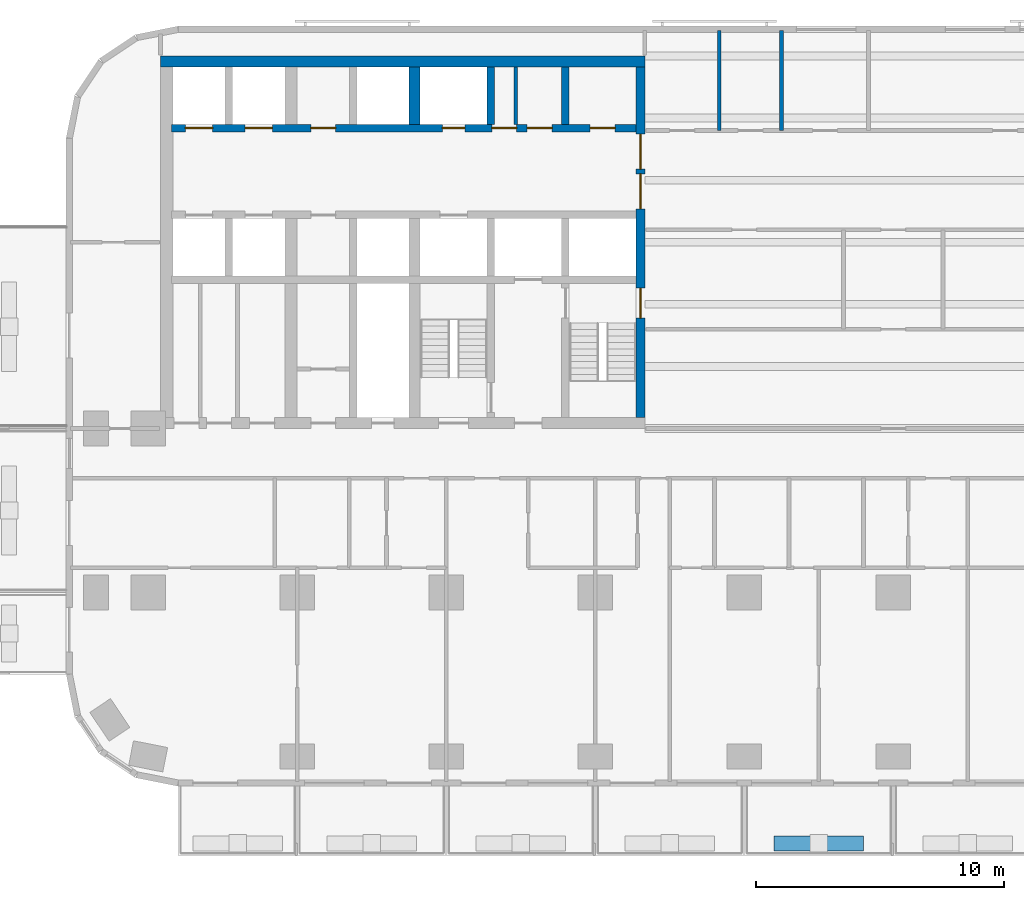
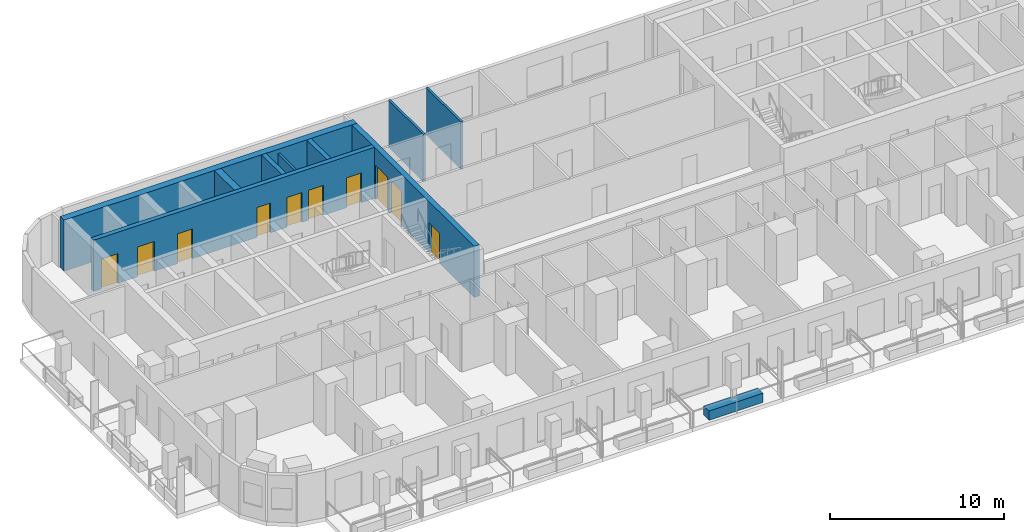
# One storey, part 4 of 15: 10 doors, 10 walls, 10 openings.
"""IFC4 building model written with IfcOpenShell, lengths in metres."""

import ifcopenshell
import ifcopenshell.guid

model = None  # the IFC model being written
_history = None  # IfcOwnerHistory: only IFC2X3 demands one
_inside = {}  # id of a spatial element -> (the spatial element, [elements in it])
_under = {}  # id of a project, library or spatial element -> (it, [spatial elements below it])
_declared = {}  # id of a project -> (the project, [libraries it declares])
_typed = {}  # id of a type object -> (the type object, [elements of that type])
_made_of = {}  # id of a material, layer set ... -> (it, [elements and type objects made of it])


def new_model(schema):
    """Start an empty IFC model of exactly this schema.

    Asked for "IFC4X3", IfcOpenShell would pick the latest addendum, in which some entities
    have other attributes; the version numbers below select the first issue.
    IFC2X3 requires an IfcOwnerHistory on every rooted entity: one is made here for all.
    """
    global model, _history
    if schema == "IFC4X3":
        model = ifcopenshell.file(schema_version=(4, 3, 0, 0))
    else:
        model = ifcopenshell.file(schema=schema)
    _inside.clear()
    _under.clear()
    _declared.clear()
    _typed.clear()
    _made_of.clear()
    _history = None
    if model.schema == "IFC2X3":
        org = make("IfcOrganization", Name="unknown")
        user = make(
            "IfcPersonAndOrganization",
            ThePerson=make("IfcPerson", FamilyName="unknown"),
            TheOrganization=org,
        )
        app = make(
            "IfcApplication",
            ApplicationDeveloper=org,
            Version="unknown",
            ApplicationFullName="unknown",
            ApplicationIdentifier="unknown",
        )
        _history = make(
            "IfcOwnerHistory",
            OwningUser=user,
            OwningApplication=app,
            ChangeAction="ADDED",
            CreationDate=0,
        )
    return model


def make(cls, **values):
    """One entity of the class cls with the attributes given. An attribute that is None is left unset."""
    return model.create_entity(
        cls, **{name: value for name, value in values.items() if value is not None}
    )


def rooted(cls, **values):
    """An entity with a GlobalId (a new one), such as an element, a storey or a relation."""
    return make(cls, GlobalId=ifcopenshell.guid.new(), OwnerHistory=_history, **values)


def si_unit(unit_type, name, prefix=None):
    """IfcSIUnit, for example si_unit("LENGTHUNIT", "METRE", prefix="MILLI")."""
    return make("IfcSIUnit", UnitType=unit_type, Prefix=prefix, Name=name)


def assignment(units):
    """IfcUnitAssignment: the units of a project."""
    return None if units is None else make("IfcUnitAssignment", Units=units)


def point(xyz):
    """IfcCartesianPoint."""
    return None if xyz is None else make("IfcCartesianPoint", Coordinates=xyz)


def direction(xyz):
    """IfcDirection."""
    return None if xyz is None else make("IfcDirection", DirectionRatios=xyz)


def frame(location, z_axis=None, x_axis=None):
    """IfcAxis2Placement3D, a coordinate frame: its origin and axes. An axis left out is left unset."""
    return make(
        "IfcAxis2Placement3D",
        Location=point(location),
        Axis=direction(z_axis),
        RefDirection=direction(x_axis),
    )


def frame_2d(location, x_axis=None):
    """IfcAxis2Placement2D, a coordinate frame in the plane: its origin and x axis."""
    return make(
        "IfcAxis2Placement2D", Location=point(location), RefDirection=direction(x_axis)
    )


def origin():
    """The frame at (0, 0, 0) with its axes left unset."""
    return frame((0.0, 0.0, 0.0))


def place(relative_to, where):
    """IfcLocalPlacement: puts the frame where relative to a parent placement (None: the world)."""
    return make(
        "IfcLocalPlacement", PlacementRelTo=relative_to, RelativePlacement=where
    )


def context(
    kind, dimensions, precision=None, world=None, true_north=None, identifier=None
):
    """IfcGeometricRepresentationContext, for example the 3D "Model" context."""
    return make(
        "IfcGeometricRepresentationContext",
        ContextIdentifier=identifier,
        ContextType=kind,
        CoordinateSpaceDimension=dimensions,
        Precision=precision,
        WorldCoordinateSystem=world,
        TrueNorth=true_north,
    )


def subcontext(parent, identifier, kind, view, scale=None):
    """IfcGeometricRepresentationSubContext, for example "Body" below "Model"."""
    return make(
        "IfcGeometricRepresentationSubContext",
        ContextIdentifier=identifier,
        ContextType=kind,
        ParentContext=parent,
        TargetScale=scale,
        TargetView=view,
    )


def project(units=None, contexts=None):
    """IfcProject with its units and contexts."""
    return rooted(
        "IfcProject",
        Name="project",
        RepresentationContexts=contexts,
        UnitsInContext=assignment(units),
    )


def spatial(cls, under=None, at=None, **own):
    """A site, building, storey or space (cls), placed at a placement, below another one or the project."""
    s = rooted(cls, ObjectPlacement=at, **own)
    if under is not None:
        _under.setdefault(under.id(), (under, []))[1].append(s)
    return s


def profile(cls, at=None, kind="AREA", **sizes):
    """A parametric profile (cls). Its sizes go by their IFC names, for example OverallWidth=200.0."""
    return make(cls, ProfileType=kind, Position=at, **sizes)


def rectangle(**sizes):
    """IfcRectangleProfileDef."""
    return profile("IfcRectangleProfileDef", **sizes)


def extrude(swept, where, along, depth):
    """IfcExtrudedAreaSolid: the profile swept, set in the frame where, extruded along a direction by depth."""
    return make(
        "IfcExtrudedAreaSolid",
        SweptArea=swept,
        Position=where,
        ExtrudedDirection=direction(along),
        Depth=depth,
    )


def shape(context_of_items, identifier, shape_type, items):
    """IfcShapeRepresentation: the items that make up one representation, for example the "Body"."""
    return make(
        "IfcShapeRepresentation",
        ContextOfItems=context_of_items,
        RepresentationIdentifier=identifier,
        RepresentationType=shape_type,
        Items=items,
    )


def material(Name=None, Category=None):
    """IfcMaterial."""
    return make("IfcMaterial", Name=Name, Category=Category)


def layer(
    of_material, thickness, ventilated=None, Name=None, Category=None, Priority=None
):
    """IfcMaterialLayer: one layer of a wall or slab, of a material (None: an air gap)."""
    return make(
        "IfcMaterialLayer",
        Material=of_material,
        LayerThickness=thickness,
        IsVentilated=ventilated,
        Name=Name,
        Category=Category,
        Priority=Priority,
    )


def layer_set(layers, Name=None):
    """IfcMaterialLayerSet."""
    return make("IfcMaterialLayerSet", MaterialLayers=layers, LayerSetName=Name)


def made_of(thing, what):
    """Note that an element or type object is made of a material, layer set ...; save() writes the relation."""
    if what is not None:
        _made_of.setdefault(what.id(), (what, []))[1].append(thing)
    return thing


def type_object(cls, material=None, **own):
    """A type object (cls), such as IfcWallType, which elements share."""
    return made_of(rooted(cls, **own), material)


def element(
    cls,
    number,
    at=None,
    inside=None,
    cuts=None,
    type_object=None,
    material=None,
    context=None,
    identifier="Body",
    shape_type=None,
    held_by="IfcProductDefinitionShape",
    body=None,
    shapes=None,
    **own,
):
    """One element of the class cls, such as IfcWall. Its Tag is "e" and its number.

    at: its placement. inside: the storey or other place that contains it. cuts: it is an
    opening in that element (IfcRelVoidsElement). A single representation is given by context,
    identifier, shape_type and body (its items); several are given by shapes. held_by: the class
    of the entity that holds the representations. save() writes the other relations.
    """
    e = rooted(cls, Tag="e%d" % number, ObjectPlacement=at, **own)
    if body is not None:
        shapes = [shape(context, identifier, shape_type, body)]
    if shapes is not None:
        e.Representation = make(held_by, Representations=shapes)
    if inside is not None:
        _inside.setdefault(inside.id(), (inside, []))[1].append(e)
    if cuts is not None:
        rooted(
            "IfcRelVoidsElement", RelatingBuildingElement=cuts, RelatedOpeningElement=e
        )
    if type_object is not None:
        _typed.setdefault(type_object.id(), (type_object, []))[1].append(e)
    return made_of(e, material)


def fill(opening, filler):
    """IfcRelFillsElement: the door or window that sits in an opening."""
    return rooted(
        "IfcRelFillsElement",
        RelatingOpeningElement=opening,
        RelatedBuildingElement=filler,
    )


def aggregate(whole, parts):
    """IfcRelAggregates: a whole, such as a stair, and the parts it consists of."""
    return rooted("IfcRelAggregates", RelatingObject=whole, RelatedObjects=parts)


def save(model, path):
    """Write the relations noted so far, then the file.

    IfcRelAggregates (storeys below a building ...), IfcRelContainedInSpatialStructure (elements
    in a storey), IfcRelDefinesByType, IfcRelAssociatesMaterial and IfcRelDeclares: one each for
    every whole, place, type object, material and project.
    """
    for whole, parts in _under.values():
        aggregate(whole, parts)
    for where, things in _inside.values():
        rooted(
            "IfcRelContainedInSpatialStructure",
            RelatedElements=things,
            RelatingStructure=where,
        )
    for kind, things in _typed.values():
        rooted("IfcRelDefinesByType", RelatedObjects=things, RelatingType=kind)
    for what, things in _made_of.values():
        rooted("IfcRelAssociatesMaterial", RelatedObjects=things, RelatingMaterial=what)
    for by, libraries in _declared.values():
        rooted("IfcRelDeclares", RelatingContext=by, RelatedDefinitions=libraries)
    model.write(path)


model = new_model("IFC4")

# Units and contexts
model_context = context("Model", 3, precision=1e-05, world=origin(), true_north=direction((0.0, 1.0)))
body_context = subcontext(model_context, "Body", "Model", "MODEL_VIEW")
ifc_project = project(units=[si_unit("LENGTHUNIT", "METRE"), si_unit("AREAUNIT", "SQUARE_METRE"), si_unit("VOLUMEUNIT", "CUBIC_METRE"), si_unit("PLANEANGLEUNIT", "RADIAN"), si_unit("MASSUNIT", "GRAM", prefix="KILO")], contexts=[model_context])

# Site, building, storey
site_placement = place(None, origin())
site = spatial("IfcSite", under=ifc_project, at=site_placement, CompositionType="ELEMENT")
building_placement = place(site_placement, origin())
building = spatial("IfcBuilding", under=site, at=building_placement, Name="Torana Hotel and Residences", CompositionType="ELEMENT")
storey_placement = place(building_placement, frame((0.0, 0.0, 92.39990234375)))
storey = spatial("IfcBuildingStorey", under=building, at=storey_placement, Name="L23", CompositionType="ELEMENT", Elevation=92.39990234375)

# Wall, openings, doors
ifc_material_1 = material(Name="Concrete C80/95", Category="concrete")
ifc_layer_1 = layer(ifc_material_1, 0.300048828125)
ifc_layer_set_1 = layer_set([ifc_layer_1], Name="CORE WALL 300 C80/95")
wall_type_1 = type_object("IfcWallType", Name="CORE WALL 300 C80/95", PredefinedType="SHEAR", material=ifc_layer_set_1)
wall_1_placement = place(storey_placement, frame((-29.050048828125, -2.89990234375, 0.0), z_axis=(0.0, 0.0, 1.0), x_axis=(1.0, 0.0, 0.0)))
wall_1 = element("IfcWall", 1, at=wall_1_placement, inside=storey, type_object=wall_type_1, Name="Core wall W row-N", PredefinedType="SHEAR", context=body_context, shape_type="SweptSolid", body=[
    extrude(rectangle(XDim=18.699951171875, YDim=0.300048828125, at=frame_2d((9.35009765625, 0.0))), origin(), (0.0, 0.0, 1.0), 3.60009765625),
])
opening_1_placement = place(wall_1_placement, frame((2.949951171875, 0.0, 0.0)))
opening_1 = element("IfcOpeningElement", 2, at=opening_1_placement, cuts=wall_1, Name="Opening LD", PredefinedType="OPENING", context=body_context, shape_type="SweptSolid", body=[
    extrude(rectangle(XDim=1.10009765625, YDim=2.10009765625, at=frame_2d((0.550048828125, 1.050048828125))), frame((0.0, 0.159912109375, 0.0), z_axis=(0.0, -1.0, 0.0), x_axis=(1.0, 0.0, 0.0)), (0.0, 0.0, 1.0), 0.320068359375),
])
opening_2_placement = place(wall_1_placement, frame((0.550048828125, 0.0, 0.0)))
opening_2 = element("IfcOpeningElement", 3, at=opening_2_placement, cuts=wall_1, Name="Opening LD", PredefinedType="OPENING", context=body_context, shape_type="SweptSolid", body=[
    extrude(rectangle(XDim=1.10009765625, YDim=2.10009765625, at=frame_2d((0.550048828125, 1.050048828125))), frame((0.0, 0.159912109375, 0.0), z_axis=(0.0, -1.0, 0.0), x_axis=(1.0, 0.0, 0.0)), (0.0, 0.0, 1.0), 0.320068359375),
])
opening_3_placement = place(wall_1_placement, frame((10.89990234375, 0.0, 0.0)))
opening_3 = element("IfcOpeningElement", 4, at=opening_3_placement, cuts=wall_1, Name="Opening L23-11", PredefinedType="OPENING", context=body_context, shape_type="SweptSolid", body=[
    extrude(rectangle(XDim=0.89990234375, YDim=2.10009765625, at=frame_2d((0.449951171875, 1.050048828125))), frame((0.0, 0.159912109375, 0.0), z_axis=(0.0, -1.0, 0.0), x_axis=(1.0, 0.0, 0.0)), (0.0, 0.0, 1.0), 0.320068359375),
])
opening_4_placement = place(wall_1_placement, frame((16.85009765625, 0.0, 0.0)))
opening_4 = element("IfcOpeningElement", 5, at=opening_4_placement, cuts=wall_1, Name="Opening L23-12", PredefinedType="OPENING", context=body_context, shape_type="SweptSolid", body=[
    extrude(rectangle(XDim=1.0, YDim=2.10009765625, at=frame_2d((0.5, 1.050048828125))), frame((0.0, 0.159912109375, 0.0), z_axis=(0.0, -1.0, 0.0), x_axis=(1.0, 0.0, 0.0)), (0.0, 0.0, 1.0), 0.320068359375),
])
opening_5_placement = place(wall_1_placement, frame((14.3125, 0.0, 0.0)))
opening_5 = element("IfcOpeningElement", 6, at=opening_5_placement, cuts=wall_1, Name="Opening L23-13", PredefinedType="OPENING", context=body_context, shape_type="SweptSolid", body=[
    extrude(rectangle(XDim=1.0, YDim=2.10009765625, at=frame_2d((0.5, 1.050048828125))), frame((0.0, 0.159912109375, 0.0), z_axis=(0.0, -1.0, 0.0), x_axis=(1.0, 0.0, 0.0)), (0.0, 0.0, 1.0), 0.320068359375),
])
opening_6_placement = place(wall_1_placement, frame((12.887451171875, 0.0, 0.0)))
opening_6 = element("IfcOpeningElement", 7, at=opening_6_placement, cuts=wall_1, Name="Opening L23-14", PredefinedType="OPENING", context=body_context, shape_type="SweptSolid", body=[
    extrude(rectangle(XDim=1.0, YDim=2.10009765625, at=frame_2d((0.5, 1.050048828125))), frame((0.0, 0.159912109375, 0.0), z_axis=(0.0, -1.0, 0.0), x_axis=(1.0, 0.0, 0.0)), (0.0, 0.0, 1.0), 0.320068359375),
])
opening_7_placement = place(wall_1_placement, frame((5.60009765625, 0.0, 0.0)))
opening_7 = element("IfcOpeningElement", 8, at=opening_7_placement, cuts=wall_1, Name="Opening L23-15", PredefinedType="OPENING", context=body_context, shape_type="SweptSolid", body=[
    extrude(rectangle(XDim=1.0, YDim=2.10009765625, at=frame_2d((0.5, 1.050048828125))), frame((0.0, 0.159912109375, 0.0), z_axis=(0.0, -1.0, 0.0), x_axis=(1.0, 0.0, 0.0)), (0.0, 0.0, 1.0), 0.320068359375),
])
ifc_material_2 = material(Name="Steel S235", Category="steel")
door_type_1 = type_object("IfcDoorType", Name="CORE ROOM FIRE DOOR D14 1000x2100", OperationType="SINGLE_SWING_LEFT", PredefinedType="DOOR", material=ifc_material_2)
door_1_placement = place(opening_4_placement, origin())
door_1 = element("IfcDoor", 9, at=door_1_placement, inside=storey, type_object=door_type_1, Name="N0 door L23", OperationType="SINGLE_SWING_RIGHT", OverallHeight=2.10009765625, OverallWidth=1.0, PredefinedType="DOOR", context=body_context, shape_type="SweptSolid", body=[
    extrude(rectangle(XDim=1.0, YDim=2.10009765625, at=frame_2d((0.5, 1.050048828125))), frame((0.0, 0.02490234375, 0.0), z_axis=(0.0, -1.0, 0.0), x_axis=(1.0, 0.0, 0.0)), (0.0, 0.0, 1.0), 0.050048828125),
])
fill(opening_4, door_1)
door_2_placement = place(opening_5_placement, origin())
door_2 = element("IfcDoor", 10, at=door_2_placement, inside=storey, type_object=door_type_1, Name="N1A door L23", OperationType="SINGLE_SWING_RIGHT", OverallHeight=2.10009765625, OverallWidth=1.0, PredefinedType="DOOR", context=body_context, shape_type="SweptSolid", body=[
    extrude(rectangle(XDim=1.0, YDim=2.10009765625, at=frame_2d((0.5, 1.050048828125))), frame((0.0, 0.02490234375, 0.0), z_axis=(0.0, -1.0, 0.0), x_axis=(1.0, 0.0, 0.0)), (0.0, 0.0, 1.0), 0.050048828125),
])
fill(opening_5, door_2)
door_3_placement = place(opening_6_placement, origin())
door_3 = element("IfcDoor", 11, at=door_3_placement, inside=storey, type_object=door_type_1, Name="N1B door L23", OperationType="SINGLE_SWING_RIGHT", OverallHeight=2.10009765625, OverallWidth=1.0, PredefinedType="DOOR", context=body_context, shape_type="SweptSolid", body=[
    extrude(rectangle(XDim=1.0, YDim=2.10009765625, at=frame_2d((0.5, 1.050048828125))), frame((0.0, 0.02490234375, 0.0), z_axis=(0.0, -1.0, 0.0), x_axis=(1.0, 0.0, 0.0)), (0.0, 0.0, 1.0), 0.050048828125),
])
fill(opening_6, door_3)
door_4_placement = place(opening_7_placement, origin())
door_4 = element("IfcDoor", 12, at=door_4_placement, inside=storey, type_object=door_type_1, Name="Free-M1 door L23", OperationType="SINGLE_SWING_RIGHT", OverallHeight=2.10009765625, OverallWidth=1.0, PredefinedType="DOOR", context=body_context, shape_type="SweptSolid", body=[
    extrude(rectangle(XDim=1.0, YDim=2.10009765625, at=frame_2d((0.5, 1.050048828125))), frame((0.0, 0.02490234375, 0.0), z_axis=(0.0, -1.0, 0.0), x_axis=(1.0, 0.0, 0.0)), (0.0, 0.0, 1.0), 0.050048828125),
])
fill(opening_7, door_4)
ifc_material_3 = material(Name="Stainless steel 316", Category="steel")
door_type_2 = type_object("IfcDoorType", Name="LIFT LANDING DOOR LD 1100x2100", OperationType="DOUBLE_DOOR_SLIDING", PredefinedType="USERDEFINED", material=ifc_material_3)
door_5_placement = place(opening_1_placement, origin())
door_5 = element("IfcDoor", 13, at=door_5_placement, inside=storey, type_object=door_type_2, Name="Lift landing door L1 L23", ObjectType="LIFT LANDING DOOR", OperationType="DOUBLE_DOOR_SLIDING", OverallHeight=2.10009765625, OverallWidth=1.10009765625, PredefinedType="USERDEFINED", context=body_context, shape_type="SweptSolid", body=[
    extrude(rectangle(XDim=1.10009765625, YDim=2.10009765625, at=frame_2d((0.550048828125, 1.050048828125))), frame((0.0, 0.02490234375, 0.0), z_axis=(0.0, -1.0, 0.0), x_axis=(1.0, 0.0, 0.0)), (0.0, 0.0, 1.0), 0.050048828125),
])
fill(opening_1, door_5)
door_6_placement = place(opening_2_placement, origin())
door_6 = element("IfcDoor", 14, at=door_6_placement, inside=storey, type_object=door_type_2, Name="Lift landing door L2 L23", ObjectType="LIFT LANDING DOOR", OperationType="DOUBLE_DOOR_SLIDING", OverallHeight=2.10009765625, OverallWidth=1.10009765625, PredefinedType="USERDEFINED", context=body_context, shape_type="SweptSolid", body=[
    extrude(rectangle(XDim=1.10009765625, YDim=2.10009765625, at=frame_2d((0.550048828125, 1.050048828125))), frame((0.0, 0.02490234375, 0.0), z_axis=(0.0, -1.0, 0.0), x_axis=(1.0, 0.0, 0.0)), (0.0, 0.0, 1.0), 0.050048828125),
])
fill(opening_2, door_6)
ifc_material_4 = material(Name="Steel S235", Category="steel")
door_type_3 = type_object("IfcDoorType", Name="RISER ACCESS DOOR D5 900x2100", OperationType="SINGLE_SWING_LEFT", PredefinedType="DOOR", material=ifc_material_4)
door_7_placement = place(opening_3_placement, origin())
door_7 = element("IfcDoor", 15, at=door_7_placement, inside=storey, type_object=door_type_3, Name="N2 door L23", OperationType="SINGLE_SWING_RIGHT", OverallHeight=2.10009765625, OverallWidth=0.89990234375, PredefinedType="DOOR", context=body_context, shape_type="SweptSolid", body=[
    extrude(rectangle(XDim=0.89990234375, YDim=2.10009765625, at=frame_2d((0.449951171875, 1.050048828125))), frame((0.0, 0.02490234375, 0.0), z_axis=(0.0, -1.0, 0.0), x_axis=(1.0, 0.0, 0.0)), (0.0, 0.0, 1.0), 0.050048828125),
])
fill(opening_3, door_7)

# Walls
for number, where, z_axis, x_axis, name in (
    (16, (-13.199951171875, -2.75, 0.0), (0.0, 0.0, 1.0), (0.0, 1.0, 0.0), "Core wall W x3.05-N"),
    (17, (-16.199951171875, -2.75, 0.0), (0.0, 0.0, 1.0), (0.0, 1.0, 0.0), "Core wall W x6.05-N"),
):
    element("IfcWall", number, at=place(storey_placement, frame(where, z_axis=z_axis, x_axis=x_axis)), inside=storey, type_object=wall_type_1, Name=name, PredefinedType="SHEAR", context=body_context, shape_type="SweptSolid", body=[
        extrude(rectangle(XDim=2.300048828125, YDim=0.300048828125, at=frame_2d((1.14990234375, 0.0))), origin(), (0.0, 0.0, 1.0), 3.60009765625),
    ])

# Wall, openings, doors
ifc_material_5 = material(Name="Concrete C80/95", Category="concrete")
ifc_layer_2 = layer(ifc_material_5, 0.35009765625)
ifc_layer_set_2 = layer_set([ifc_layer_2], Name="CORE WALL 350 C80/95")
wall_type_2 = type_object("IfcWallType", Name="CORE WALL 350 C80/95", PredefinedType="SHEAR", material=ifc_layer_set_2)
wall_2_placement = place(storey_placement, frame((-10.175048828125, -14.550048828125, 0.0), z_axis=(0.0, 0.0, 1.0), x_axis=(0.0, 1.0, 0.0)))
wall_2 = element("IfcWall", 18, at=wall_2_placement, inside=storey, type_object=wall_type_2, Name="Core wall W arch", PredefinedType="SHEAR", context=body_context, shape_type="SweptSolid", body=[
    extrude(rectangle(XDim=14.10009765625, YDim=0.35009765625, at=frame_2d((7.050048828125, 0.0))), origin(), (0.0, 0.0, 1.0), 3.60009765625),
])
opening_8_placement = place(wall_2_placement, frame((8.39990234375, 0.0, 0.0)))
opening_8 = element("IfcOpeningElement", 19, at=opening_8_placement, cuts=wall_2, Name="Opening L23-01", PredefinedType="OPENING", context=body_context, shape_type="SweptSolid", body=[
    extrude(rectangle(XDim=1.39990234375, YDim=2.39990234375, at=frame_2d((0.699951171875, 1.199951171875))), frame((0.0, 0.18505859375, 0.0), z_axis=(0.0, -1.0, 0.0), x_axis=(1.0, 0.0, 0.0)), (0.0, 0.0, 1.0), 0.3701171875),
])
opening_9_placement = place(wall_2_placement, frame((10.0, 0.0, 0.0)))
opening_9 = element("IfcOpeningElement", 20, at=opening_9_placement, cuts=wall_2, Name="Opening L23-02", PredefinedType="OPENING", context=body_context, shape_type="SweptSolid", body=[
    extrude(rectangle(XDim=1.39990234375, YDim=2.39990234375, at=frame_2d((0.699951171875, 1.199951171875))), frame((0.0, 0.18505859375, 0.0), z_axis=(0.0, -1.0, 0.0), x_axis=(1.0, 0.0, 0.0)), (0.0, 0.0, 1.0), 0.3701171875),
])
opening_10_placement = place(wall_2_placement, frame((4.0, 0.0, 0.0)))
opening_10 = element("IfcOpeningElement", 21, at=opening_10_placement, cuts=wall_2, Name="Opening L23-03", PredefinedType="OPENING", context=body_context, shape_type="SweptSolid", body=[
    extrude(rectangle(XDim=1.199951171875, YDim=2.10009765625, at=frame_2d((0.60009765625, 1.050048828125))), frame((0.0, 0.18505859375, 0.0), z_axis=(0.0, -1.0, 0.0), x_axis=(1.0, 0.0, 0.0)), (0.0, 0.0, 1.0), 0.3701171875),
])
ifc_material_6 = material(Name="Steel S235", Category="steel")
door_type_4 = type_object("IfcDoorType", Name="LOBBY FIRE DOOR D4 1400x2400", OperationType="DOUBLE_DOOR_SINGLE_SWING", PredefinedType="DOOR", material=ifc_material_6)
door_8_placement = place(opening_8_placement, origin())
door_8 = element("IfcDoor", 22, at=door_8_placement, inside=storey, type_object=door_type_4, Name="Lobby-1 door L23", OperationType="DOUBLE_DOOR_SINGLE_SWING", OverallHeight=2.39990234375, OverallWidth=1.39990234375, PredefinedType="DOOR", context=body_context, shape_type="SweptSolid", body=[
    extrude(rectangle(XDim=1.39990234375, YDim=2.39990234375, at=frame_2d((0.699951171875, 1.199951171875))), frame((0.0, 0.02490234375, 0.0), z_axis=(0.0, -1.0, 0.0), x_axis=(1.0, 0.0, 0.0)), (0.0, 0.0, 1.0), 0.050048828125),
])
fill(opening_8, door_8)
door_9_placement = place(opening_9_placement, origin())
door_9 = element("IfcDoor", 23, at=door_9_placement, inside=storey, type_object=door_type_4, Name="Lobby-2 door L23", OperationType="DOUBLE_DOOR_SINGLE_SWING", OverallHeight=2.39990234375, OverallWidth=1.39990234375, PredefinedType="DOOR", context=body_context, shape_type="SweptSolid", body=[
    extrude(rectangle(XDim=1.39990234375, YDim=2.39990234375, at=frame_2d((0.699951171875, 1.199951171875))), frame((0.0, 0.02490234375, 0.0), z_axis=(0.0, -1.0, 0.0), x_axis=(1.0, 0.0, 0.0)), (0.0, 0.0, 1.0), 0.050048828125),
])
fill(opening_9, door_9)
ifc_material_7 = material(Name="Steel S235", Category="steel")
door_type_5 = type_object("IfcDoorType", Name="STAIR FIRE DOOR D3 1200x2100", OperationType="SINGLE_SWING_LEFT", PredefinedType="DOOR", material=ifc_material_7)
door_10_placement = place(opening_10_placement, origin())
door_10 = element("IfcDoor", 24, at=door_10_placement, inside=storey, type_object=door_type_5, Name="Stair-A door L23", OperationType="SINGLE_SWING_LEFT", OverallHeight=2.10009765625, OverallWidth=1.199951171875, PredefinedType="DOOR", context=body_context, shape_type="SweptSolid", body=[
    extrude(rectangle(XDim=1.199951171875, YDim=2.10009765625, at=frame_2d((0.60009765625, 1.050048828125))), frame((0.0, 0.02490234375, 0.0), z_axis=(0.0, -1.0, 0.0), x_axis=(1.0, 0.0, 0.0)), (0.0, 0.0, 1.0), 0.050048828125),
])
fill(opening_10, door_10)

# Walls
ifc_material_8 = material(Name="Concrete C80/95", Category="concrete")
ifc_layer_3 = layer(ifc_material_8, 0.449951171875)
ifc_layer_set_3 = layer_set([ifc_layer_3], Name="CORE WALL 450 C80/95")
wall_type_3 = type_object("IfcWallType", Name="CORE WALL 450 C80/95", PredefinedType="SHEAR", material=ifc_layer_set_3)
wall_3_placement = place(storey_placement, frame((-29.5, -0.22509765625, 0.0), z_axis=(0.0, 0.0, 1.0), x_axis=(1.0, 0.0, 0.0)))
element("IfcWall", 25, at=wall_3_placement, inside=storey, type_object=wall_type_3, Name="Core wall W rear", PredefinedType="SHEAR", context=body_context, shape_type="SweptSolid", body=[
    extrude(rectangle(XDim=19.5, YDim=0.449951171875, at=frame_2d((9.75, 0.0))), origin(), (0.0, 0.0, 1.0), 3.60009765625),
])
wall_4_placement = place(storey_placement, frame((-19.27490234375, -2.75, 0.0), z_axis=(0.0, 0.0, 1.0), x_axis=(0.0, 1.0, 0.0)))
element("IfcWall", 26, at=wall_4_placement, inside=storey, type_object=wall_type_3, Name="Core wall W hm-N", PredefinedType="SHEAR", context=body_context, shape_type="SweptSolid", body=[
    extrude(rectangle(XDim=2.300048828125, YDim=0.449951171875, at=frame_2d((1.14990234375, 0.0))), origin(), (0.0, 0.0, 1.0), 3.60009765625),
])
ifc_material_9 = material(Name="Gypsum plaster")
ifc_layer_4 = layer(ifc_material_9, 0.014892578125, Name="Plaster", Category="finish")
ifc_material_10 = material(Name="Concrete blockwork", Category="masonry")
ifc_layer_5 = layer(ifc_material_10, 0.1201171875, Name="Blockwork", Category="structure")
ifc_layer_6 = layer(ifc_material_9, 0.014892578125, Name="Plaster", Category="finish")
ifc_layer_set_4 = layer_set([ifc_layer_4, ifc_layer_5, ifc_layer_6], Name="FIRE PARTITION 150 BLOCKWORK")
wall_type_4 = type_object("IfcWallType", Name="FIRE PARTITION 150 BLOCKWORK", PredefinedType="PARTITIONING", material=ifc_layer_set_4)
wall_5_placement = place(storey_placement, frame((-15.199951171875, -2.75, 0.0), z_axis=(0.0, 0.0, 1.0), x_axis=(0.0, 1.0, 0.0)))
element("IfcWall", 27, at=wall_5_placement, inside=storey, type_object=wall_type_4, Name="Core partition L23", PredefinedType="PARTITIONING", context=body_context, shape_type="SweptSolid", body=[
    extrude(rectangle(XDim=2.300048828125, YDim=0.14990234375, at=frame_2d((1.14990234375, 0.0))), origin(), (0.0, 0.0, 1.0), 3.300048828125),
])
ifc_material_11 = material(Name="Concrete C40/50 precast", Category="concrete")
ifc_layer_7 = layer(ifc_material_11, 0.10009765625, Name="Planter shell", Category="structure")
ifc_material_12 = material(Name="Root resistant membrane")
ifc_layer_8 = layer(ifc_material_12, 0.00390625, Name="Waterproofing membrane", Category="membrane")
ifc_material_13 = material(Name="Drainage board with filter fleece")
ifc_layer_9 = layer(ifc_material_13, 0.02001953125, Name="Drainage board", Category="drainage")
ifc_material_14 = material(Name="Growing medium")
ifc_layer_10 = layer(ifc_material_14, 0.47607421875, Name="Planting substrate", Category="soil")
ifc_layer_set_5 = layer_set([ifc_layer_7, ifc_layer_8, ifc_layer_9, ifc_layer_10], Name="PL1 BALCONY PLANTER 600")
wall_type_5 = type_object("IfcWallType", Name="PL1 BALCONY PLANTER 600", PredefinedType="USERDEFINED", material=ifc_layer_set_5)
wall_6_placement = place(storey_placement, frame((-1.199951171875, -31.699951171875, 0.0), z_axis=(0.0, 0.0, 1.0), x_axis=(-1.0, 0.0, 0.0)))
element("IfcWall", 28, at=wall_6_placement, inside=storey, type_object=wall_type_5, Name="Planter 05", ObjectType="PLANTER", PredefinedType="USERDEFINED", context=body_context, shape_type="SweptSolid", body=[
    extrude(rectangle(XDim=3.60009765625, YDim=0.60009765625, at=frame_2d((1.800048828125, 0.0))), origin(), (0.0, 0.0, 1.0), 0.650146484375),
])
ifc_material_15 = material(Name="Ceramic tile on adhesive")
ifc_layer_11 = layer(ifc_material_15, 0.010009765625, Name="Wall tile", Category="finish")
ifc_material_16 = material(Name="Cement render")
ifc_layer_12 = layer(ifc_material_16, 0.010009765625, Name="Render", Category="finish")
ifc_layer_13 = layer(ifc_material_10, 0.110107421875, Name="Blockwork", Category="structure")
ifc_layer_14 = layer(ifc_material_16, 0.010009765625, Name="Render", Category="finish")
ifc_layer_15 = layer(ifc_material_15, 0.010009765625, Name="Wall tile", Category="finish")
ifc_layer_set_6 = layer_set([ifc_layer_11, ifc_layer_12, ifc_layer_13, ifc_layer_14, ifc_layer_15], Name="WC PARTITION 150")
wall_type_6 = type_object("IfcWallType", Name="WC PARTITION 150", PredefinedType="PLUMBINGWALL", material=ifc_layer_set_6)
for number, where, z_axis, x_axis, name in (
    (29, (-4.5, -3.0, 0.0), (0.0, 0.0, 1.0), (0.0, 1.0, 0.0), "Partition L23"),
    (30, (-7.0, -3.0, 0.0), (0.0, 0.0, 1.0), (0.0, 1.0, 0.0), "Partition L23"),
):
    element("IfcWall", number, at=place(storey_placement, frame(where, z_axis=z_axis, x_axis=x_axis)), inside=storey, type_object=wall_type_6, Name=name, PredefinedType="PLUMBINGWALL", context=body_context, shape_type="SweptSolid", body=[
        extrude(rectangle(XDim=4.02001953125, YDim=0.14990234375, at=frame_2d((2.010009765625, 0.0))), origin(), (0.0, 0.0, 1.0), 3.320068359375),
    ])

save(model, "model.ifc")
